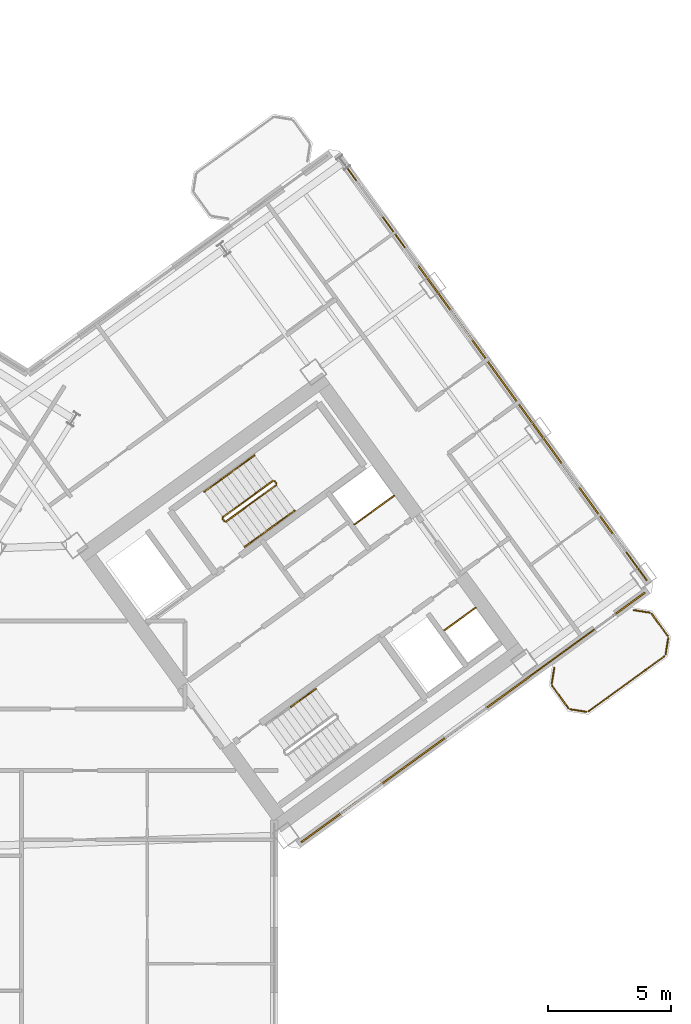
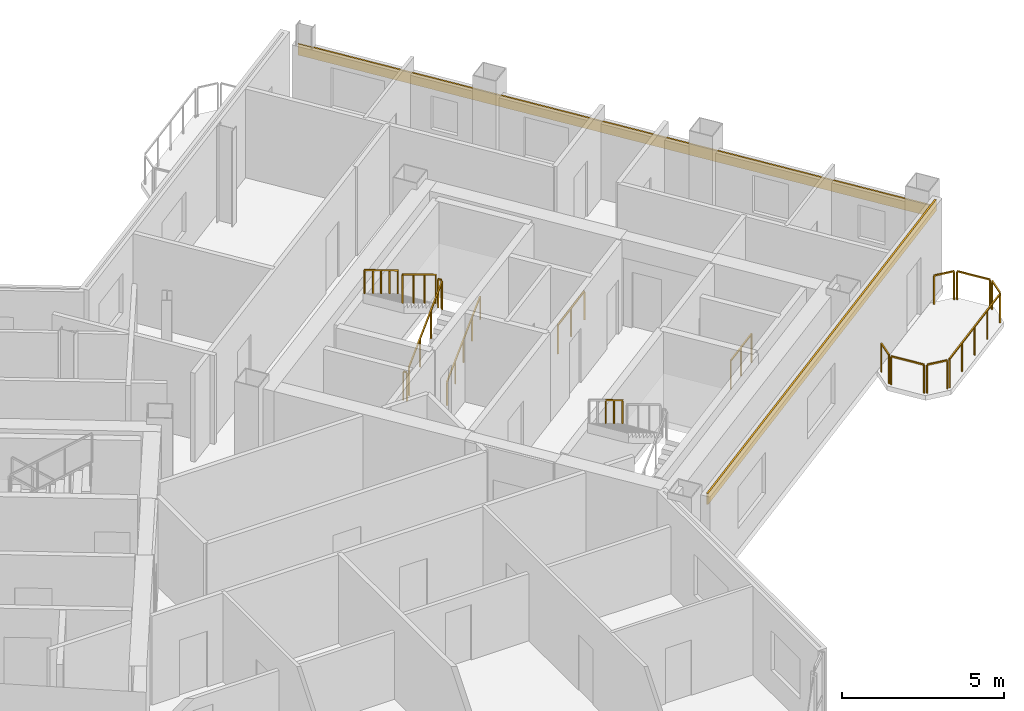
# One storey, part 20 of 21: 18 railings, 2 coverings.
"""IFC4 building model written with IfcOpenShell, lengths in metres."""

from ifc_helpers import new_model, si_unit, direction, frame, origin, origin_2d, place, context, subcontext, project, spatial, rectangle, extrude, source, transform, mapped, material, layer, layer_set, type_object, element, save


model = new_model("IFC4")

# Units and contexts
model_context = context("Model", 3, precision=1e-05, world=origin(), true_north=direction((0.0, 1.0)))
body_context = subcontext(model_context, "Body", "Model", "MODEL_VIEW")
ifc_project = project(units=[si_unit("LENGTHUNIT", "METRE"), si_unit("AREAUNIT", "SQUARE_METRE"), si_unit("VOLUMEUNIT", "CUBIC_METRE"), si_unit("PLANEANGLEUNIT", "RADIAN"), si_unit("MASSUNIT", "GRAM", prefix="KILO")], contexts=[model_context])

# Site, building, storey
site_placement = place(None, origin())
site = spatial("IfcSite", under=ifc_project, at=site_placement, CompositionType="ELEMENT")
building_placement = place(site_placement, origin())
building = spatial("IfcBuilding", under=site, at=building_placement, Name="Tlacorven Tower", CompositionType="ELEMENT")
storey_placement = place(building_placement, frame((0.0, 0.0, 184.199951171875)))
storey = spatial("IfcBuildingStorey", under=building, at=storey_placement, Name="L46", CompositionType="ELEMENT", Elevation=184.199951171875)

# Railings
ifc_material_1 = material(Name="Aluminium and painted steel balustrade", Category="steel")
railing_type_1 = type_object("IfcRailingType", Name="RL-GRD-1100", PredefinedType="GUARDRAIL", material=ifc_material_1)
shared_shape_1 = source(origin(), body_context, "Body", "SweptSolid", [
    extrude(rectangle(XDim=0.048095703125, YDim=0.048095703125, at=origin_2d()), frame((0.0, 0.0, 1.076171875), z_axis=(0.808947177504, 0.587881334972, 0.0), x_axis=(-0.587881334972, 0.808947177504, 0.0)), (0.0, 0.0, 1.0), 2.0),
    extrude(rectangle(XDim=0.0419921875, YDim=0.0419921875, at=origin_2d()), origin(), (0.0, 0.0, 1.0), 1.052001953125),
    extrude(rectangle(XDim=0.0419921875, YDim=0.0419921875, at=origin_2d()), frame((0.80908203125, 0.587890625, 0.0)), (0.0, 0.0, 1.0), 1.052001953125),
    extrude(rectangle(XDim=0.0419921875, YDim=0.0419921875, at=origin_2d()), frame((1.617919921875, 1.17578125, 0.0)), (0.0, 0.0, 1.0), 1.052001953125),
])
railing_1_placement = place(storey_placement, frame((55.506103515625, 25.438232421875, 0.0)))
element("IfcRailing", 1, at=railing_1_placement, inside=storey, type_object=railing_type_1, Name="L46 Electrical Riser E Shaft Guard 1", PredefinedType="GUARDRAIL", context=body_context, shape_type="MappedRepresentation", body=[
    mapped(shared_shape_1, transform((0.0, 0.0, 0.0), scale=1.0)),
])
shared_shape_2 = source(origin(), body_context, "Body", "SweptSolid", [
    extrude(rectangle(XDim=0.048095703125, YDim=0.048095703125, at=origin_2d()), frame((0.0, 0.0, 1.076171875), z_axis=(0.809029975545, 0.58776738483, 0.0), x_axis=(-0.58776738483, 0.809029975545, 0.0)), (0.0, 0.0, 1.0), 1.580078125),
    extrude(rectangle(XDim=0.0419921875, YDim=0.0419921875, at=origin_2d()), origin(), (0.0, 0.0, 1.0), 1.052001953125),
    extrude(rectangle(XDim=0.0419921875, YDim=0.0419921875, at=origin_2d()), frame((0.63916015625, 0.46435546875, 0.0)), (0.0, 0.0, 1.0), 1.052001953125),
    extrude(rectangle(XDim=0.0419921875, YDim=0.0419921875, at=origin_2d()), frame((1.2783203125, 0.9287109375, 0.0)), (0.0, 0.0, 1.0), 1.052001953125),
])
railing_2_placement = place(storey_placement, frame((59.160888671875, 21.122314453125, 0.0)))
element("IfcRailing", 2, at=railing_2_placement, inside=storey, type_object=railing_type_1, Name="L46 Smoke Riser E Shaft Guard 1", PredefinedType="GUARDRAIL", context=body_context, shape_type="MappedRepresentation", body=[
    mapped(shared_shape_2, transform((0.0, 0.0, 0.0), scale=1.0)),
])
railing_type_2 = type_object("IfcRailingType", Name="RL-BAL-1100", PredefinedType="BALUSTRADE", material=ifc_material_1)
shared_shape_3 = source(origin(), body_context, "Body", "SweptSolid", [
    extrude(rectangle(XDim=0.048095703125, YDim=0.048095703125, at=origin_2d()), frame((0.0, 0.0, 1.076171875), z_axis=(0.156602868908, 0.987661653326, 0.0), x_axis=(-0.987661653326, 0.156602868908, 0.0)), (0.0, 0.0, 1.0), 0.665771484375),
    extrude(rectangle(XDim=0.0419921875, YDim=0.0419921875, at=origin_2d()), origin(), (0.0, 0.0, 1.0), 1.052001953125),
    extrude(rectangle(XDim=0.0419921875, YDim=0.0419921875, at=origin_2d()), frame((0.104248046875, 0.657470703125, 0.0)), (0.0, 0.0, 1.0), 1.052001953125),
])
railing_3_placement = place(storey_placement, frame((63.539306640625, 18.949951171875, 0.0)))
element("IfcRailing", 3, at=railing_3_placement, inside=storey, type_object=railing_type_2, Name="BAL-L46-E-OUT Guard Railing 3", PredefinedType="BALUSTRADE", context=body_context, shape_type="MappedRepresentation", body=[
    mapped(shared_shape_3, transform((0.0, 0.0, 0.0), scale=1.0)),
])
shared_shape_4 = source(origin(), body_context, "Body", "SweptSolid", [
    extrude(rectangle(XDim=0.048095703125, YDim=0.048095703125, at=origin_2d()), frame((0.0, 0.0, 1.076171875), z_axis=(0.58788449985, -0.808944877501, 0.0), x_axis=(0.808944877501, 0.58788449985, 0.0)), (0.0, 0.0, 1.0), 1.112060546875),
    extrude(rectangle(XDim=0.0419921875, YDim=0.0419921875, at=origin_2d()), origin(), (0.0, 0.0, 1.0), 1.052001953125),
    extrude(rectangle(XDim=0.0419921875, YDim=0.0419921875, at=origin_2d()), frame((0.65380859375, -0.899658203125, 0.0)), (0.0, 0.0, 1.0), 1.052001953125),
])
railing_4_placement = place(storey_placement, frame((67.60595703125, 21.799072265625, 0.0)))
element("IfcRailing", 4, at=railing_4_placement, inside=storey, type_object=railing_type_2, Name="BAL-L46-E-OUT Guard Railing 5", PredefinedType="BALUSTRADE", context=body_context, shape_type="MappedRepresentation", body=[
    mapped(shared_shape_4, transform((0.0, 0.0, 0.0), scale=1.0)),
])
shared_shape_5 = source(origin(), body_context, "Body", "SweptSolid", [
    extrude(rectangle(XDim=0.048095703125, YDim=0.048095703125, at=origin_2d()), frame((0.0, 0.0, 1.076171875), z_axis=(-0.809018102573, -0.587783726986, 0.0), x_axis=(0.587783726986, -0.809018102573, 0.0)), (0.0, 0.0, 1.0), 3.817138671875),
    extrude(rectangle(XDim=0.0419921875, YDim=0.0419921875, at=origin_2d()), origin(), (0.0, 0.0, 1.0), 1.052001953125),
    extrude(rectangle(XDim=0.0419921875, YDim=0.0419921875, at=origin_2d()), frame((-0.77197265625, -0.56103515625, 0.0)), (0.0, 0.0, 1.0), 1.052001953125),
    extrude(rectangle(XDim=0.0419921875, YDim=0.0419921875, at=origin_2d()), frame((-1.5439453125, -1.121826171875, 0.0)), (0.0, 0.0, 1.0), 1.052001953125),
    extrude(rectangle(XDim=0.0419921875, YDim=0.0419921875, at=origin_2d()), frame((-2.316162109375, -1.6826171875, 0.0)), (0.0, 0.0, 1.0), 1.052001953125),
    extrude(rectangle(XDim=0.0419921875, YDim=0.0419921875, at=origin_2d()), frame((-3.088134765625, -2.24365234375, 0.0)), (0.0, 0.0, 1.0), 1.052001953125),
])
railing_5_placement = place(storey_placement, frame((68.12890625, 20.0732421875, 0.0)))
element("IfcRailing", 5, at=railing_5_placement, inside=storey, type_object=railing_type_2, Name="BAL-L46-E-OUT Guard Railing 7", PredefinedType="BALUSTRADE", context=body_context, shape_type="MappedRepresentation", body=[
    mapped(shared_shape_5, transform((0.0, 0.0, 0.0), scale=1.0)),
])
shared_shape_6 = source(origin(), body_context, "Body", "SweptSolid", [
    extrude(rectangle(XDim=0.048095703125, YDim=0.048095703125, at=origin_2d()), frame((0.0, 0.0, 1.076171875), z_axis=(-0.987718317463, 0.156245081039, 0.0), x_axis=(-0.156245081039, -0.987718317463, 0.0)), (0.0, 0.0, 1.0), 0.66552734375),
    extrude(rectangle(XDim=0.0419921875, YDim=0.0419921875, at=origin_2d()), origin(), (0.0, 0.0, 1.0), 1.052001953125),
    extrude(rectangle(XDim=0.0419921875, YDim=0.0419921875, at=origin_2d()), frame((-0.657470703125, 0.10400390625, 0.0)), (0.0, 0.0, 1.0), 1.052001953125),
])
railing_6_placement = place(storey_placement, frame((64.950927734375, 17.80810546875, 0.0)))
element("IfcRailing", 6, at=railing_6_placement, inside=storey, type_object=railing_type_2, Name="BAL-L46-E-OUT Guard Railing 1", PredefinedType="BALUSTRADE", context=body_context, shape_type="MappedRepresentation", body=[
    mapped(shared_shape_6, transform((0.0, 0.0, 0.0), scale=1.0)),
])
shared_shape_7 = source(origin(), body_context, "Body", "SweptSolid", [
    extrude(rectangle(XDim=0.048095703125, YDim=0.048095703125, at=origin_2d()), frame((0.0, 0.0, 1.076171875), z_axis=(-0.587740817519, 0.809049276263, 0.0), x_axis=(-0.809049276263, -0.587740817519, 0.0)), (0.0, 0.0, 1.0), 1.112060546875),
    extrude(rectangle(XDim=0.0419921875, YDim=0.0419921875, at=origin_2d()), origin(), (0.0, 0.0, 1.0), 1.052001953125),
    extrude(rectangle(XDim=0.0419921875, YDim=0.0419921875, at=origin_2d()), frame((-0.653564453125, 0.899658203125, 0.0)), (0.0, 0.0, 1.0), 1.052001953125),
])
railing_7_placement = place(storey_placement, frame((64.214599609375, 17.96044921875, 0.0)))
element("IfcRailing", 7, at=railing_7_placement, inside=storey, type_object=railing_type_2, Name="BAL-L46-E-OUT Guard Railing 2", PredefinedType="BALUSTRADE", context=body_context, shape_type="MappedRepresentation", body=[
    mapped(shared_shape_7, transform((0.0, 0.0, 0.0), scale=1.0)),
])
shared_shape_8 = source(origin(), body_context, "Body", "SweptSolid", [
    extrude(rectangle(XDim=0.048095703125, YDim=0.048095703125, at=origin_2d()), frame((0.0, 0.0, 1.076171875), z_axis=(-0.156245081039, -0.987718317463, 0.0), x_axis=(0.987718317463, -0.156245081039, 0.0)), (0.0, 0.0, 1.0), 0.66552734375),
    extrude(rectangle(XDim=0.0419921875, YDim=0.0419921875, at=origin_2d()), origin(), (0.0, 0.0, 1.0), 1.052001953125),
    extrude(rectangle(XDim=0.0419921875, YDim=0.0419921875, at=origin_2d()), frame((-0.10400390625, -0.657470703125, 0.0)), (0.0, 0.0, 1.0), 1.052001953125),
])
railing_8_placement = place(storey_placement, frame((68.28125, 20.8095703125, 0.0)))
element("IfcRailing", 8, at=railing_8_placement, inside=storey, type_object=railing_type_2, Name="BAL-L46-E-OUT Guard Railing 6", PredefinedType="BALUSTRADE", context=body_context, shape_type="MappedRepresentation", body=[
    mapped(shared_shape_8, transform((0.0, 0.0, 0.0), scale=1.0)),
])

# Coverings
ifc_material_2 = material(Name="Precast concrete C45/55", Category="concrete")
ifc_layer = layer(ifc_material_2, 0.06005859375)
ifc_layer_set = layer_set([ifc_layer], Name="Precast concrete C45/55")
covering_type = type_object("IfcCoveringType", Name="CV-CLD-TERC", PredefinedType="CLADDING", material=ifc_layer_set)
shared_shape_9 = source(origin(), body_context, "Body", "SweptSolid", [
    extrude(rectangle(XDim=21.287353515625, YDim=0.06005859375, at=origin_2d()), origin(), (0.0, 0.0, 1.0), 0.419921875),
])
covering_1_placement = place(storey_placement, frame((61.15478515625, 31.767333984375, 2.405029296875), z_axis=(0.0, 0.0, 1.0), x_axis=(0.587785363163, -0.809016913823, 0.0)))
element("IfcCovering", 9, at=covering_1_placement, inside=storey, type_object=covering_type, Name="L46 Masonry-Frame Spandrel Cladding 5", PredefinedType="CLADDING", context=body_context, shape_type="MappedRepresentation", body=[
    mapped(shared_shape_9, transform((0.0, 0.0, 0.0), scale=1.0)),
])
shared_shape_10 = source(origin(), body_context, "Body", "SweptSolid", [
    extrude(rectangle(XDim=17.287353515625, YDim=0.06005859375, at=origin_2d()), origin(), (0.0, 0.0, 1.0), 0.419921875),
])
covering_2_placement = place(storey_placement, frame((60.339111328125, 17.578125, 2.93017578125), z_axis=(0.0, 0.0, 1.0), x_axis=(-0.809016829126, -0.587785479738, 0.0)))
element("IfcCovering", 10, at=covering_2_placement, inside=storey, type_object=covering_type, Name="L46 Masonry-Frame Spandrel Cladding 6", PredefinedType="CLADDING", context=body_context, shape_type="MappedRepresentation", body=[
    mapped(shared_shape_10, transform((0.0, 0.0, 0.0), scale=1.0)),
])

# Railings
shared_shape_11 = source(origin(), body_context, "Body", "SweptSolid", [
    extrude(rectangle(XDim=0.048095703125, YDim=0.048095703125, at=origin_2d()), frame((0.0, 0.0, 1.076171875), z_axis=(0.987727266442, -0.156188498702, 0.0), x_axis=(0.156188498702, 0.987727266442, 0.0)), (0.0, 0.0, 1.0), 0.665771484375),
    extrude(rectangle(XDim=0.0419921875, YDim=0.0419921875, at=origin_2d()), origin(), (0.0, 0.0, 1.0), 1.052001953125),
    extrude(rectangle(XDim=0.0419921875, YDim=0.0419921875, at=origin_2d()), frame((0.65771484375, -0.10400390625, 0.0)), (0.0, 0.0, 1.0), 1.052001953125),
])
railing_9_placement = place(storey_placement, frame((66.86962890625, 21.951416015625, 0.0)))
element("IfcRailing", 11, at=railing_9_placement, inside=storey, type_object=railing_type_2, Name="BAL-L46-E-OUT Guard Railing 4", PredefinedType="BALUSTRADE", context=body_context, shape_type="MappedRepresentation", body=[
    mapped(shared_shape_11, transform((0.0, 0.0, 0.0), scale=1.0)),
])
shared_shape_12 = source(origin(), body_context, "Body", "SweptSolid", [
    extrude(rectangle(XDim=0.048095703125, YDim=0.048095703125, at=origin_2d()), frame((0.0, 0.0, 1.076171875), z_axis=(-0.587201422542, 0.809440849824, 0.0), x_axis=(-0.809440849824, -0.587201422542, 0.0)), (0.0, 0.0, 1.0), 0.11962890625),
    extrude(rectangle(XDim=0.0419921875, YDim=0.0419921875, at=origin_2d()), origin(), (0.0, 0.0, 1.0), 1.052001953125),
    extrude(rectangle(XDim=0.0419921875, YDim=0.0419921875, at=origin_2d()), frame((-0.0703125, 0.096923828125, 0.0)), (0.0, 0.0, 1.0), 1.052001953125),
])
for number, where, name in (
    (12, (52.326904296875, 27.10888671875, 1.800048828125), "L46 ST-E1 stair guard 2"),
    (13, (50.207275390625, 25.56884765625, 0.0), "L46 ST-E1 stair guard 4"),
):
    element("IfcRailing", number, at=place(storey_placement, frame(where)), inside=storey, type_object=railing_type_1, Name=name, PredefinedType="GUARDRAIL", context=body_context, shape_type="MappedRepresentation", body=[
        mapped(shared_shape_12, transform((0.0, 0.0, 0.0), scale=1.0)),
    ])
shared_shape_13 = source(origin(), body_context, "Body", "SweptSolid", [
    extrude(rectangle(XDim=0.048095703125, YDim=0.048095703125, at=origin_2d()), frame((0.0, 0.0, 1.076171875), z_axis=(0.680488636597, 0.494434078831, 0.540805100894), x_axis=(-0.5878087079, 0.808999952359, 0.0)), (0.0, 0.0, 1.0), 2.995849609375),
    extrude(rectangle(XDim=0.0419921875, YDim=0.0419921875, at=origin_2d()), origin(), (0.0, 0.0, 1.0), 1.052001953125),
    extrude(rectangle(XDim=0.0419921875, YDim=0.0419921875, at=origin_2d()), frame((0.679443359375, 0.49365234375, 0.5400390625)), (0.0, 0.0, 1.0), 1.052001953125),
    extrude(rectangle(XDim=0.0419921875, YDim=0.0419921875, at=origin_2d()), frame((1.359130859375, 0.987548828125, 1.080078125)), (0.0, 0.0, 1.0), 1.052001953125),
    extrude(rectangle(XDim=0.0419921875, YDim=0.0419921875, at=origin_2d()), frame((2.03857421875, 1.481201171875, 1.6201171875)), (0.0, 0.0, 1.0), 1.052001953125),
])
railing_10_placement = place(storey_placement, frame((50.27734375, 25.557861328125, 0.179931640625)))
element("IfcRailing", 14, at=railing_10_placement, inside=storey, type_object=railing_type_1, Name="L46 ST-E1 stair guard 1", PredefinedType="GUARDRAIL", context=body_context, shape_type="MappedRepresentation", body=[
    mapped(shared_shape_13, transform((0.0, 0.0, 0.0), scale=1.0)),
])
shared_shape_14 = source(origin(), body_context, "Body", "SweptSolid", [
    extrude(rectangle(XDim=0.048095703125, YDim=0.048095703125, at=origin_2d()), frame((0.0, 0.0, 1.076171875), z_axis=(-0.680488636597, -0.494434078831, 0.540805100894), x_axis=(0.5878087079, -0.808999952359, 0.0)), (0.0, 0.0, 1.0), 2.995849609375),
    extrude(rectangle(XDim=0.0419921875, YDim=0.0419921875, at=origin_2d()), origin(), (0.0, 0.0, 1.0), 1.052001953125),
    extrude(rectangle(XDim=0.0419921875, YDim=0.0419921875, at=origin_2d()), frame((-0.679443359375, -0.49365234375, 0.5400390625)), (0.0, 0.0, 1.0), 1.052001953125),
    extrude(rectangle(XDim=0.0419921875, YDim=0.0419921875, at=origin_2d()), frame((-1.359130859375, -0.987548828125, 1.080078125)), (0.0, 0.0, 1.0), 1.052001953125),
    extrude(rectangle(XDim=0.0419921875, YDim=0.0419921875, at=origin_2d()), frame((-2.03857421875, -1.481201171875, 1.6201171875)), (0.0, 0.0, 1.0), 1.052001953125),
])
railing_11_placement = place(storey_placement, frame((52.1865234375, 27.217041015625, 1.97998046875)))
element("IfcRailing", 15, at=railing_11_placement, inside=storey, type_object=railing_type_1, Name="L46 ST-E1 stair guard 3", PredefinedType="GUARDRAIL", context=body_context, shape_type="MappedRepresentation", body=[
    mapped(shared_shape_14, transform((0.0, 0.0, 0.0), scale=1.0)),
])
railing_type_3 = type_object("IfcRailingType", Name="RL-HND-0900", PredefinedType="HANDRAIL", material=ifc_material_1)
shared_shape_15 = source(origin(), body_context, "Body", "SweptSolid", [
    extrude(rectangle(XDim=0.048095703125, YDim=0.048095703125, at=origin_2d()), frame((0.0, 0.0, 0.8759765625), z_axis=(0.680516055757, 0.494372502302, 0.540826891737), x_axis=(-0.587745292299, 0.809046025502, 0.0)), (0.0, 0.0, 1.0), 1.497802734375),
    extrude(rectangle(XDim=0.0419921875, YDim=0.0419921875, at=origin_2d()), origin(), (0.0, 0.0, 1.0), 0.851806640625),
    extrude(rectangle(XDim=0.0419921875, YDim=0.0419921875, at=origin_2d()), frame((0.509765625, 0.3701171875, 0.405029296875)), (0.0, 0.0, 1.0), 0.851806640625),
    extrude(rectangle(XDim=0.0419921875, YDim=0.0419921875, at=origin_2d()), frame((1.019287109375, 0.740478515625, 0.81005859375)), (0.0, 0.0, 1.0), 0.851806640625),
])
railing_12_placement = place(storey_placement, frame((51.029541015625, 24.522216796875, 0.179931640625)))
element("IfcRailing", 16, at=railing_12_placement, inside=storey, type_object=railing_type_3, Name="L46 ST-E1 stair handrail 1", PredefinedType="HANDRAIL", context=body_context, shape_type="MappedRepresentation", body=[
    mapped(shared_shape_15, transform((0.0, 0.0, 0.0), scale=1.0)),
])
shared_shape_16 = source(origin(), body_context, "Body", "SweptSolid", [
    extrude(rectangle(XDim=0.048095703125, YDim=0.048095703125, at=origin_2d()), frame((0.0, 0.0, 0.8759765625), z_axis=(0.680548719995, 0.49444080854, 0.540723336433), x_axis=(-0.587779977844, 0.80902082646, 0.0)), (0.0, 0.0, 1.0), 1.498046875),
    extrude(rectangle(XDim=0.0419921875, YDim=0.0419921875, at=origin_2d()), origin(), (0.0, 0.0, 1.0), 0.851806640625),
    extrude(rectangle(XDim=0.0419921875, YDim=0.0419921875, at=origin_2d()), frame((0.509765625, 0.370361328125, 0.405029296875)), (0.0, 0.0, 1.0), 0.851806640625),
    extrude(rectangle(XDim=0.0419921875, YDim=0.0419921875, at=origin_2d()), frame((1.01953125, 0.74072265625, 0.81005859375)), (0.0, 0.0, 1.0), 0.851806640625),
])
railing_13_placement = place(storey_placement, frame((52.048828125, 25.2626953125, 0.989990234375)))
element("IfcRailing", 17, at=railing_13_placement, inside=storey, type_object=railing_type_3, Name="L46 ST-E1 stair handrail 2", PredefinedType="HANDRAIL", context=body_context, shape_type="MappedRepresentation", body=[
    mapped(shared_shape_16, transform((0.0, 0.0, 0.0), scale=1.0)),
])
shared_shape_17 = source(origin(), body_context, "Body", "SweptSolid", [
    extrude(rectangle(XDim=0.048095703125, YDim=0.048095703125, at=origin_2d()), frame((0.0, 0.0, 0.8759765625), z_axis=(-0.680603554404, -0.494317667746, 0.540766904577), x_axis=(0.587653156371, -0.809112951205, 0.0)), (0.0, 0.0, 1.0), 1.498046875),
    extrude(rectangle(XDim=0.0419921875, YDim=0.0419921875, at=origin_2d()), origin(), (0.0, 0.0, 1.0), 0.851806640625),
    extrude(rectangle(XDim=0.0419921875, YDim=0.0419921875, at=origin_2d()), frame((-0.509765625, -0.3701171875, 0.405029296875)), (0.0, 0.0, 1.0), 0.851806640625),
    extrude(rectangle(XDim=0.0419921875, YDim=0.0419921875, at=origin_2d()), frame((-1.01953125, -0.740478515625, 0.81005859375)), (0.0, 0.0, 1.0), 0.851806640625),
])
railing_14_placement = place(storey_placement, frame((51.434326171875, 28.25244140625, 1.97998046875)))
element("IfcRailing", 18, at=railing_14_placement, inside=storey, type_object=railing_type_3, Name="L46 ST-E1 stair handrail 3", PredefinedType="HANDRAIL", context=body_context, shape_type="MappedRepresentation", body=[
    mapped(shared_shape_17, transform((0.0, 0.0, 0.0), scale=1.0)),
])
shared_shape_18 = source(origin(), body_context, "Body", "SweptSolid", [
    extrude(rectangle(XDim=0.048095703125, YDim=0.048095703125, at=origin_2d()), frame((0.0, 0.0, 0.8759765625), z_axis=(-0.680461216233, -0.494495647917, 0.540783309093), x_axis=(0.587872112667, -0.808953879494, 0.0)), (0.0, 0.0, 1.0), 1.498046875),
    extrude(rectangle(XDim=0.0419921875, YDim=0.0419921875, at=origin_2d()), origin(), (0.0, 0.0, 1.0), 0.851806640625),
    extrude(rectangle(XDim=0.0419921875, YDim=0.0419921875, at=origin_2d()), frame((-0.509765625, -0.370361328125, 0.405029296875)), (0.0, 0.0, 1.0), 0.851806640625),
    extrude(rectangle(XDim=0.0419921875, YDim=0.0419921875, at=origin_2d()), frame((-1.019287109375, -0.74072265625, 0.81005859375)), (0.0, 0.0, 1.0), 0.851806640625),
])
railing_15_placement = place(storey_placement, frame((50.414794921875, 27.511962890625, 2.7900390625)))
element("IfcRailing", 19, at=railing_15_placement, inside=storey, type_object=railing_type_3, Name="L46 ST-E1 stair handrail 4", PredefinedType="HANDRAIL", context=body_context, shape_type="MappedRepresentation", body=[
    mapped(shared_shape_18, transform((0.0, 0.0, 0.0), scale=1.0)),
])
shared_shape_19 = source(origin(), body_context, "Body", "SweptSolid", [
    extrude(rectangle(XDim=0.048095703125, YDim=0.048095703125, at=origin_2d()), frame((0.0, 0.0, 0.8759765625), z_axis=(-0.680516055757, -0.494372502302, 0.540826891737), x_axis=(0.587745292299, -0.809046025502, 0.0)), (0.0, 0.0, 1.0), 1.497802734375),
    extrude(rectangle(XDim=0.0419921875, YDim=0.0419921875, at=origin_2d()), origin(), (0.0, 0.0, 1.0), 0.851806640625),
    extrude(rectangle(XDim=0.0419921875, YDim=0.0419921875, at=origin_2d()), frame((-0.509765625, -0.3701171875, 0.405029296875)), (0.0, 0.0, 1.0), 0.851806640625),
    extrude(rectangle(XDim=0.0419921875, YDim=0.0419921875, at=origin_2d()), frame((-1.019287109375, -0.740478515625, 0.81005859375)), (0.0, 0.0, 1.0), 0.851806640625),
])
railing_16_placement = place(storey_placement, frame((53.938232421875, 18.749267578125, 1.97998046875)))
element("IfcRailing", 20, at=railing_16_placement, inside=storey, type_object=railing_type_3, Name="L46 ST-E2 stair handrail 3", PredefinedType="HANDRAIL", context=body_context, shape_type="MappedRepresentation", body=[
    mapped(shared_shape_19, transform((0.0, 0.0, 0.0), scale=1.0)),
])

save(model, "model.ifc")
